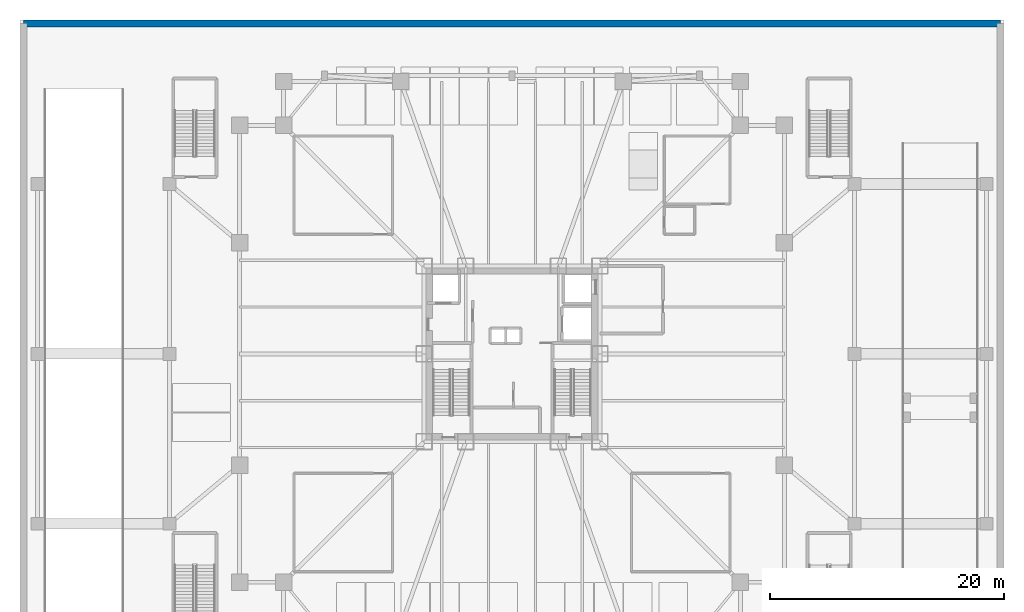
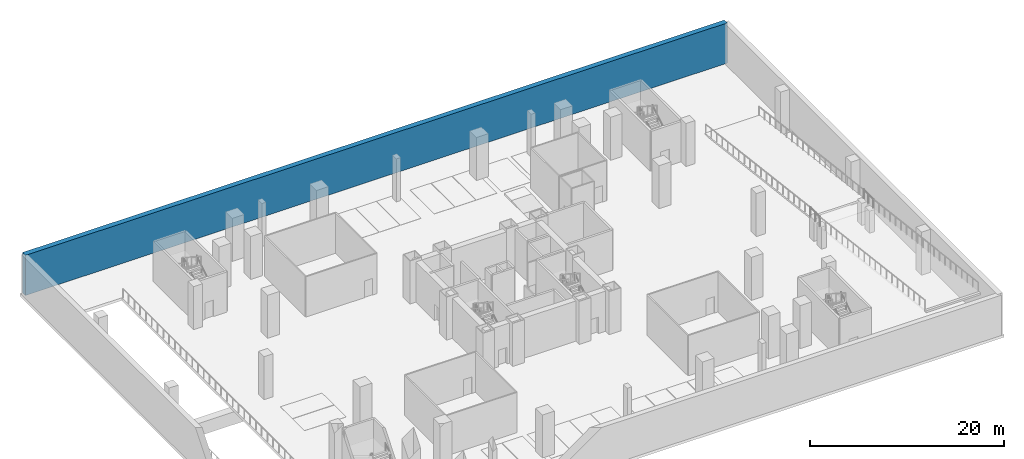
# One storey, part 6 of 14: 1 wall.
"""IFC4 building model written with IfcOpenShell, lengths in metres."""

from ifc_helpers import new_model, si_unit, direction, frame, frame_2d, origin, place, context, subcontext, project, spatial, rectangle, extrude, material, layer, layer_set, type_object, element, save


model = new_model("IFC4")

# Units and contexts
model_context = context("Model", 3, precision=1e-05, world=origin(), true_north=direction((0.0, 1.0)))
body_context = subcontext(model_context, "Body", "Model", "MODEL_VIEW")
ifc_project = project(units=[si_unit("LENGTHUNIT", "METRE"), si_unit("AREAUNIT", "SQUARE_METRE"), si_unit("VOLUMEUNIT", "CUBIC_METRE"), si_unit("PLANEANGLEUNIT", "RADIAN"), si_unit("MASSUNIT", "GRAM", prefix="KILO")], contexts=[model_context])

# Site, building, storey
site_placement = place(None, origin())
site = spatial("IfcSite", under=ifc_project, at=site_placement, CompositionType="ELEMENT")
building_placement = place(site_placement, origin())
building = spatial("IfcBuilding", under=site, at=building_placement, Name="Trevonay Congress Spire", CompositionType="ELEMENT")
storey_placement = place(building_placement, frame((0.0, 0.0, -5.39990234375)))
storey = spatial("IfcBuildingStorey", under=building, at=storey_placement, Name="B1", CompositionType="ELEMENT", Elevation=-5.39990234375)

# Wall
ifc_material = material(Name="Concrete C50/60", Category="concrete")
ifc_layer = layer(ifc_material, 0.60009765625, Name="Concrete C50/60")
ifc_layer_set = layer_set([ifc_layer], Name="Concrete C50/60")
wall_type = type_object("IfcWallType", Name="WAL-RETAIN-600", PredefinedType="USERDEFINED", material=ifc_layer_set)
wall_placement = place(storey_placement, frame((41.699951171875, 28.199951171875, 0.0), z_axis=(0.0, 0.0, 1.0), x_axis=(-1.0, 0.0, 0.0)))
element("IfcWall", 1, at=wall_placement, inside=storey, type_object=wall_type, Name="B1 N perimeter concrete diaphragm retaining wall", ObjectType="RETAININGWALL", PredefinedType="USERDEFINED", context=body_context, shape_type="SweptSolid", body=[
    extrude(rectangle(XDim=83.39990234375, YDim=0.60009765625, at=frame_2d((41.699951171875, 0.0))), origin(), (0.0, 0.0, 1.0), 5.0498046875),
])

save(model, "model.ifc")
